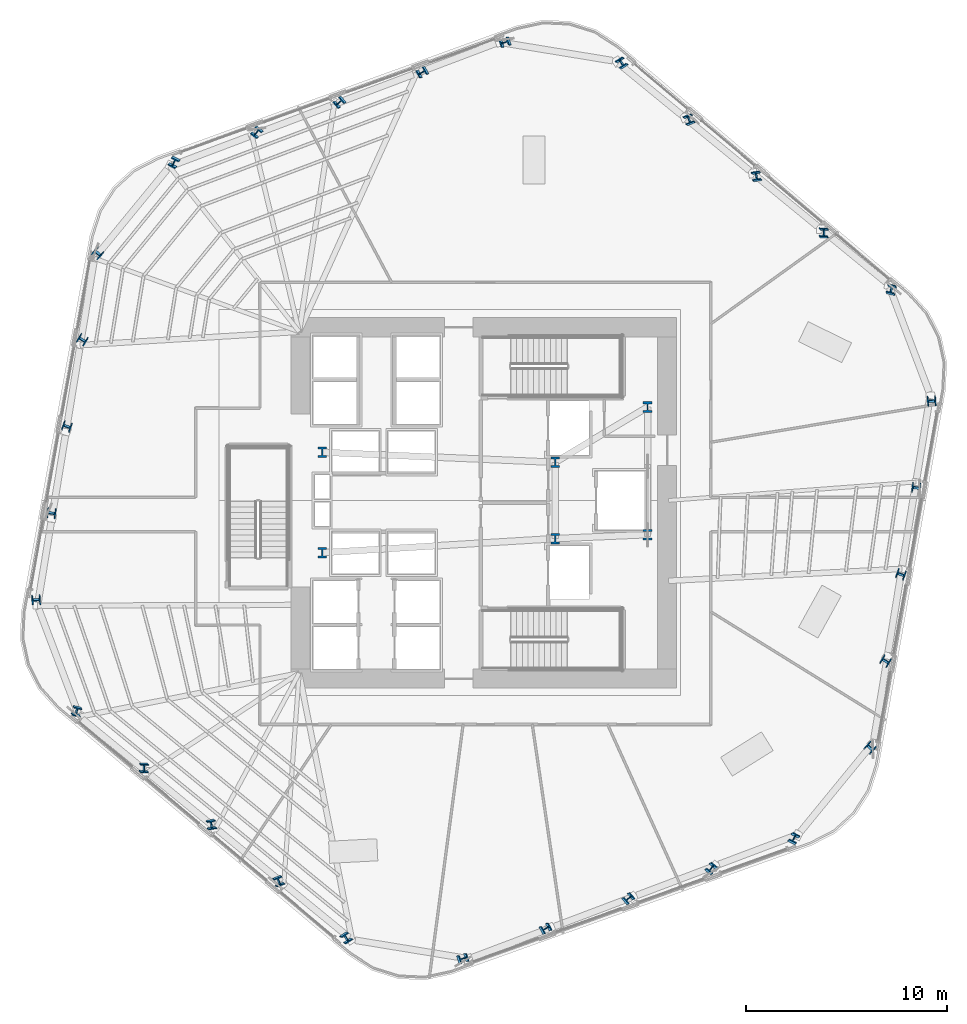
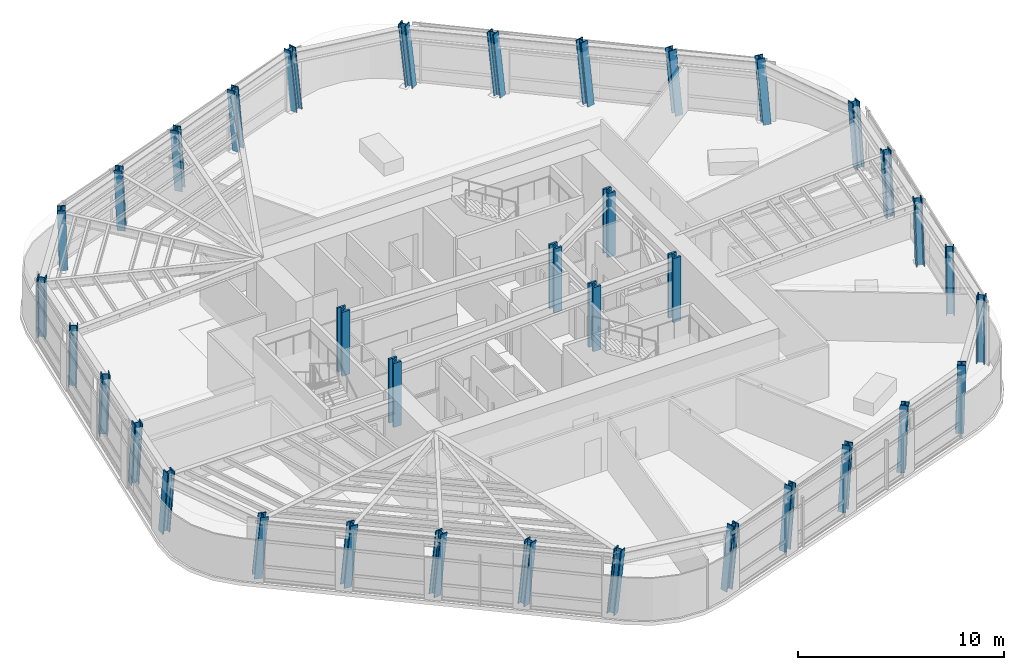
# One storey, part 1 of 18: 36 columns.
"""IFC4 building model written with IfcOpenShell, lengths in metres."""

from ifc_helpers import new_model, si_unit, direction, frame, origin, origin_2d, place, context, subcontext, project, spatial, i_section, extrude, material, material_profile, profile_set, type_object, element, save


model = new_model("IFC4")

# Units and contexts
model_context = context("Model", 3, precision=1e-05, world=origin(), true_north=direction((0.0, 1.0)))
body_context = subcontext(model_context, "Body", "Model", "MODEL_VIEW")
ifc_project = project(units=[si_unit("LENGTHUNIT", "METRE"), si_unit("AREAUNIT", "SQUARE_METRE"), si_unit("VOLUMEUNIT", "CUBIC_METRE"), si_unit("PLANEANGLEUNIT", "RADIAN"), si_unit("MASSUNIT", "GRAM", prefix="KILO")], contexts=[model_context])

# Site, building, storey
site_placement = place(None, origin())
site = spatial("IfcSite", under=ifc_project, at=site_placement, CompositionType="ELEMENT")
building_placement = place(site_placement, origin())
building = spatial("IfcBuilding", under=site, at=building_placement, Name="Valkerne Bourse Tower", CompositionType="ELEMENT")
storey_placement = place(building_placement, frame((0.0, 0.0, 108.60009765625)))
storey = spatial("IfcBuildingStorey", under=building, at=storey_placement, Name="L27", CompositionType="ELEMENT", Elevation=108.60009765625)

# Columns
ifc_material = material(Name="Steel ASTM A913 Grade 65", Category="steel")
ifc_material_profile_1 = material_profile(ifc_material, i_section(OverallWidth=0.408935546875, OverallDepth=0.42431640625, WebThickness=0.03271484375, FlangeThickness=0.052490234375, FilletRadius=0.025390625, at=origin_2d()), Name="W14X283")
ifc_profile_set_1 = profile_set([ifc_material_profile_1], Name="Steel ASTM A913 Grade 65")
column_type_1 = type_object("IfcColumnType", Name="COL-W14X283", PredefinedType="COLUMN", material=ifc_profile_set_1)
column_1_placement = place(storey_placement, frame((67.106689453125, 37.448486328125, 0.010009765625), z_axis=(-0.043904098995, 0.083694197499, 0.995523837684), x_axis=(0.974880133563, -0.214213431349, 0.061002713168)))
element("IfcColumn", 1, at=column_1_placement, inside=storey, type_object=column_type_1, Name="L27 Helical Perimeter Tube Column F1-C1", PredefinedType="COLUMN", context=body_context, shape_type="SweptSolid", body=[
    extrude(i_section(OverallWidth=0.408935546875, OverallDepth=0.42431640625, WebThickness=0.03271484375, FlangeThickness=0.052490234375, FilletRadius=0.025390625, at=origin_2d()), origin(), (0.0, 0.0, 1.0), 3.798095703125),
])
column_2_placement = place(storey_placement, frame((63.7587890625, 40.277587890625, 0.010009765625), z_axis=(-0.055438103083, 0.069779978938, 0.996020768491), x_axis=(0.997944434504, -0.028246812137, 0.057524110138)))
element("IfcColumn", 2, at=column_2_placement, inside=storey, type_object=column_type_1, Name="L27 Helical Perimeter Tube Column F1-C2", PredefinedType="COLUMN", context=body_context, shape_type="SweptSolid", body=[
    extrude(i_section(OverallWidth=0.408935546875, OverallDepth=0.42431640625, WebThickness=0.03271484375, FlangeThickness=0.052490234375, FilletRadius=0.025390625, at=origin_2d()), origin(), (0.0, 0.0, 1.0), 3.796142578125),
])
column_3_placement = place(storey_placement, frame((60.4111328125, 43.106689453125, 0.010009765625), z_axis=(-0.067089779942, 0.055833105455, 0.99618353016), x_axis=(0.982816332029, 0.175778621396, 0.056337676176)))
element("IfcColumn", 3, at=column_3_placement, inside=storey, type_object=column_type_1, Name="L27 Helical Perimeter Tube Column F1-C3", PredefinedType="COLUMN", context=body_context, shape_type="SweptSolid", body=[
    extrude(i_section(OverallWidth=0.408935546875, OverallDepth=0.42431640625, WebThickness=0.03271484375, FlangeThickness=0.052490234375, FilletRadius=0.025390625, at=origin_2d()), origin(), (0.0, 0.0, 1.0), 3.79541015625),
])
column_4_placement = place(storey_placement, frame((57.0634765625, 45.935791015625, 0.010009765625), z_axis=(-0.078655552342, 0.041803850386, 0.99602497066), x_axis=(0.92615376606, 0.372738065964, 0.057493789179)))
element("IfcColumn", 4, at=column_4_placement, inside=storey, type_object=column_type_1, Name="L27 Helical Perimeter Tube Column F1-C4", PredefinedType="COLUMN", context=body_context, shape_type="SweptSolid", body=[
    extrude(i_section(OverallWidth=0.408935546875, OverallDepth=0.42431640625, WebThickness=0.03271484375, FlangeThickness=0.052490234375, FilletRadius=0.025390625, at=origin_2d()), origin(), (0.0, 0.0, 1.0), 3.796142578125),
])
for number, where, z_axis, x_axis, name in (
    (5, (53.7158203125, 48.764892578125, 0.010009765625), (-0.090251442936, 0.027833956404, 0.995529983435), (0.839130678202, 0.540502980392, 0.060960914424), "L27 Helical Perimeter Tube Column F1-C5"),
    (6, (47.904541015625, 49.810302734375, 0.010009765625), (-0.094365484617, 0.003856899916, 0.995530150039), (-0.298518959145, 0.953867366136, -0.031991856008), "L27 Helical Perimeter Tube Column F2-C1"),
):
    element("IfcColumn", number, at=place(storey_placement, frame(where, z_axis=z_axis, x_axis=x_axis)), inside=storey, type_object=column_type_1, Name=name, PredefinedType="COLUMN", context=body_context, shape_type="SweptSolid", body=[
        extrude(i_section(OverallWidth=0.408935546875, OverallDepth=0.42431640625, WebThickness=0.03271484375, FlangeThickness=0.052490234375, FilletRadius=0.025390625, at=origin_2d()), origin(), (0.0, 0.0, 1.0), 3.798095703125),
    ])
column_5_placement = place(storey_placement, frame((43.78076171875, 48.32568359375, 0.010009765625), z_axis=(-0.088173340761, -0.013184197561, 0.99601789086), x_axis=(-0.472818646916, 0.880642098314, -0.030199698765)))
element("IfcColumn", 7, at=column_5_placement, inside=storey, type_object=column_type_1, Name="L27 Helical Perimeter Tube Column F2-C2", PredefinedType="COLUMN", context=body_context, shape_type="SweptSolid", body=[
    extrude(i_section(OverallWidth=0.408935546875, OverallDepth=0.42431640625, WebThickness=0.03271484375, FlangeThickness=0.052490234375, FilletRadius=0.025390625, at=origin_2d()), origin(), (0.0, 0.0, 1.0), 3.796142578125),
])
column_6_placement = place(storey_placement, frame((39.65673828125, 46.841064453125, 0.010009765625), z_axis=(-0.081884239984, -0.030232201722, 0.996183208663), x_axis=(-0.642436416116, 0.765768385186, -0.029567405997)))
element("IfcColumn", 8, at=column_6_placement, inside=storey, type_object=column_type_1, Name="L27 Helical Perimeter Tube Column F2-C3", PredefinedType="COLUMN", context=body_context, shape_type="SweptSolid", body=[
    extrude(i_section(OverallWidth=0.408935546875, OverallDepth=0.42431640625, WebThickness=0.03271484375, FlangeThickness=0.052490234375, FilletRadius=0.025390625, at=origin_2d()), origin(), (0.0, 0.0, 1.0), 3.79541015625),
])
column_7_placement = place(storey_placement, frame((35.532958984375, 45.356201171875, 0.010009765625), z_axis=(-0.075568318735, -0.047206081661, 0.996022597664), x_axis=(-0.784630373587, 0.619228738747, -0.030181881237)))
element("IfcColumn", 9, at=column_7_placement, inside=storey, type_object=column_type_1, Name="L27 Helical Perimeter Tube Column F2-C4", PredefinedType="COLUMN", context=body_context, shape_type="SweptSolid", body=[
    extrude(i_section(OverallWidth=0.408935546875, OverallDepth=0.42431640625, WebThickness=0.03271484375, FlangeThickness=0.052490234375, FilletRadius=0.025390625, at=origin_2d()), origin(), (0.0, 0.0, 1.0), 3.796142578125),
])
for number, where, z_axis, x_axis, name in (
    (10, (31.408935546875, 43.87158203125, 0.010009765625), (-0.069231452764, -0.064217475683, 0.995531577483), (-0.887093134911, 0.460480854389, -0.03198675875), "L27 Helical Perimeter Tube Column F2-C5"),
    (11, (27.597900390625, 39.36181640625, 0.010009765625), (-0.050525207684, -0.079837541913, 0.995526579399), (-0.673591962864, -0.733230505608, -0.092988672485), "L27 Helical Perimeter Tube Column F3-C1"),
):
    element("IfcColumn", number, at=place(storey_placement, frame(where, z_axis=z_axis, x_axis=x_axis)), inside=storey, type_object=column_type_1, Name=name, PredefinedType="COLUMN", context=body_context, shape_type="SweptSolid", body=[
        extrude(i_section(OverallWidth=0.408935546875, OverallDepth=0.42431640625, WebThickness=0.03271484375, FlangeThickness=0.052490234375, FilletRadius=0.025390625, at=origin_2d()), origin(), (0.0, 0.0, 1.0), 3.798095703125),
    ])
column_8_placement = place(storey_placement, frame((26.82177734375, 35.048095703125, 0.010009765625), z_axis=(-0.032671051039, -0.08296388945, 0.996016865054), x_axis=(-0.523952736744, -0.847214519415, -0.087755841694)))
element("IfcColumn", 12, at=column_8_placement, inside=storey, type_object=column_type_1, Name="L27 Helical Perimeter Tube Column F3-C2", PredefinedType="COLUMN", context=body_context, shape_type="SweptSolid", body=[
    extrude(i_section(OverallWidth=0.408935546875, OverallDepth=0.42431640625, WebThickness=0.03271484375, FlangeThickness=0.052490234375, FilletRadius=0.025390625, at=origin_2d()), origin(), (0.0, 0.0, 1.0), 3.796142578125),
])
column_9_placement = place(storey_placement, frame((26.045654296875, 30.734375, 0.010009765625), z_axis=(-0.014794511076, -0.086001136125, 0.996185187115), x_axis=(-0.340741932688, -0.936225754532, -0.085885224919)))
element("IfcColumn", 13, at=column_9_placement, inside=storey, type_object=column_type_1, Name="L27 Helical Perimeter Tube Column F3-C3", PredefinedType="COLUMN", context=body_context, shape_type="SweptSolid", body=[
    extrude(i_section(OverallWidth=0.408935546875, OverallDepth=0.42431640625, WebThickness=0.03271484375, FlangeThickness=0.052490234375, FilletRadius=0.025390625, at=origin_2d()), origin(), (0.0, 0.0, 1.0), 3.79541015625),
])
column_10_placement = place(storey_placement, frame((25.269287109375, 26.420654296875, 0.010009765625), z_axis=(0.003151351561, -0.089073916567, 0.996020033117), x_axis=(-0.142314367592, -0.985926795468, -0.087721005212)))
element("IfcColumn", 14, at=column_10_placement, inside=storey, type_object=column_type_1, Name="L27 Helical Perimeter Tube Column F3-C4", PredefinedType="COLUMN", context=body_context, shape_type="SweptSolid", body=[
    extrude(i_section(OverallWidth=0.408935546875, OverallDepth=0.42431640625, WebThickness=0.03271484375, FlangeThickness=0.052490234375, FilletRadius=0.025390625, at=origin_2d()), origin(), (0.0, 0.0, 1.0), 3.796142578125),
])
for number, where, z_axis, x_axis, name in (
    (15, (24.4931640625, 22.10693359375, 0.010009765625), (0.020955773477, -0.092115409181, 0.995527803203), (0.044671897284, -0.994665717028, -0.092975980565), "L27 Helical Perimeter Tube Column F3-C5"),
    (16, (26.493408203125, 16.551513671875, 0.010009765625), (0.043839941373, -0.08369443353, 0.995526645217), (0.974751734745, -0.214802359051, -0.060983622043), "L27 Helical Perimeter Tube Column F4-C1"),
):
    element("IfcColumn", number, at=place(storey_placement, frame(where, z_axis=z_axis, x_axis=x_axis)), inside=storey, type_object=column_type_1, Name=name, PredefinedType="COLUMN", context=body_context, shape_type="SweptSolid", body=[
        extrude(i_section(OverallWidth=0.408935546875, OverallDepth=0.42431640625, WebThickness=0.03271484375, FlangeThickness=0.052490234375, FilletRadius=0.025390625, at=origin_2d()), origin(), (0.0, 0.0, 1.0), 3.798095703125),
    ])
column_11_placement = place(storey_placement, frame((29.841064453125, 13.722412109375, 0.010009765625), z_axis=(0.055502218425, -0.069779730001, 0.996017215228), x_axis=(0.997958800663, -0.02768140223, -0.05754973632)))
element("IfcColumn", 17, at=column_11_placement, inside=storey, type_object=column_type_1, Name="L27 Helical Perimeter Tube Column F4-C2", PredefinedType="COLUMN", context=body_context, shape_type="SweptSolid", body=[
    extrude(i_section(OverallWidth=0.408935546875, OverallDepth=0.42431640625, WebThickness=0.03271484375, FlangeThickness=0.052490234375, FilletRadius=0.025390625, at=origin_2d()), origin(), (0.0, 0.0, 1.0), 3.796142578125),
])
column_12_placement = place(storey_placement, frame((33.188720703125, 10.893310546875, 0.010009765625), z_axis=(0.067089779942, -0.055833105455, 0.99618353016), x_axis=(0.982816332029, 0.175778621396, -0.056337676176)))
element("IfcColumn", 18, at=column_12_placement, inside=storey, type_object=column_type_1, Name="L27 Helical Perimeter Tube Column F4-C3", PredefinedType="COLUMN", context=body_context, shape_type="SweptSolid", body=[
    extrude(i_section(OverallWidth=0.408935546875, OverallDepth=0.42431640625, WebThickness=0.03271484375, FlangeThickness=0.052490234375, FilletRadius=0.025390625, at=origin_2d()), origin(), (0.0, 0.0, 1.0), 3.79541015625),
])
column_13_placement = place(storey_placement, frame((36.53662109375, 8.064208984375, 0.010009765625), z_axis=(0.078655552342, -0.041803850386, 0.99602497066), x_axis=(0.92615376606, 0.372738065964, -0.057493789179)))
element("IfcColumn", 19, at=column_13_placement, inside=storey, type_object=column_type_1, Name="L27 Helical Perimeter Tube Column F4-C4", PredefinedType="COLUMN", context=body_context, shape_type="SweptSolid", body=[
    extrude(i_section(OverallWidth=0.408935546875, OverallDepth=0.42431640625, WebThickness=0.03271484375, FlangeThickness=0.052490234375, FilletRadius=0.025390625, at=origin_2d()), origin(), (0.0, 0.0, 1.0), 3.796142578125),
])
column_14_placement = place(storey_placement, frame((39.88427734375, 5.235107421875, 0.010009765625), z_axis=(0.090187684321, -0.027834117827, 0.995535757008), x_axis=(0.839242708553, 0.540333445461, -0.060921620599)))
element("IfcColumn", 20, at=column_14_placement, inside=storey, type_object=column_type_1, Name="L27 Helical Perimeter Tube Column F4-C5", PredefinedType="COLUMN", context=body_context, shape_type="SweptSolid", body=[
    extrude(i_section(OverallWidth=0.408935546875, OverallDepth=0.42431640625, WebThickness=0.03271484375, FlangeThickness=0.052490234375, FilletRadius=0.025390625, at=origin_2d()), origin(), (0.0, 0.0, 1.0), 3.7978515625),
])
column_15_placement = place(storey_placement, frame((45.6953125, 4.189697265625, 0.010009765625), z_axis=(0.094429193284, -0.003856876513, 0.99552410918), x_axis=(-0.298543409654, 0.95385899042, 0.032013418235)))
element("IfcColumn", 21, at=column_15_placement, inside=storey, type_object=column_type_1, Name="L27 Helical Perimeter Tube Column F5-C1", PredefinedType="COLUMN", context=body_context, shape_type="SweptSolid", body=[
    extrude(i_section(OverallWidth=0.408935546875, OverallDepth=0.42431640625, WebThickness=0.03271484375, FlangeThickness=0.052490234375, FilletRadius=0.025390625, at=origin_2d()), origin(), (0.0, 0.0, 1.0), 3.798095703125),
])
column_16_placement = place(storey_placement, frame((49.8193359375, 5.67431640625, 0.010009765625), z_axis=(0.088109527065, 0.013184272298, 0.996023536973), x_axis=(-0.472914548161, 0.880591334777, 0.03017832423)))
element("IfcColumn", 22, at=column_16_placement, inside=storey, type_object=column_type_1, Name="L27 Helical Perimeter Tube Column F5-C2", PredefinedType="COLUMN", context=body_context, shape_type="SweptSolid", body=[
    extrude(i_section(OverallWidth=0.408935546875, OverallDepth=0.42431640625, WebThickness=0.03271484375, FlangeThickness=0.052490234375, FilletRadius=0.025390625, at=origin_2d()), origin(), (0.0, 0.0, 1.0), 3.796142578125),
])
column_17_placement = place(storey_placement, frame((53.943115234375, 7.158935546875, 0.010009765625), z_axis=(0.081884239984, 0.030232201722, 0.996183208663), x_axis=(-0.642436416116, 0.765768385186, 0.029567405997)))
element("IfcColumn", 23, at=column_17_placement, inside=storey, type_object=column_type_1, Name="L27 Helical Perimeter Tube Column F5-C3", PredefinedType="COLUMN", context=body_context, shape_type="SweptSolid", body=[
    extrude(i_section(OverallWidth=0.408935546875, OverallDepth=0.42431640625, WebThickness=0.03271484375, FlangeThickness=0.052490234375, FilletRadius=0.025390625, at=origin_2d()), origin(), (0.0, 0.0, 1.0), 3.79541015625),
])
column_18_placement = place(storey_placement, frame((58.067138671875, 8.643798828125, 0.010009765625), z_axis=(0.075568318735, 0.047206081661, 0.996022597664), x_axis=(-0.784630373587, 0.619228738747, 0.030181881237)))
element("IfcColumn", 24, at=column_18_placement, inside=storey, type_object=column_type_1, Name="L27 Helical Perimeter Tube Column F5-C4", PredefinedType="COLUMN", context=body_context, shape_type="SweptSolid", body=[
    extrude(i_section(OverallWidth=0.408935546875, OverallDepth=0.42431640625, WebThickness=0.03271484375, FlangeThickness=0.052490234375, FilletRadius=0.025390625, at=origin_2d()), origin(), (0.0, 0.0, 1.0), 3.796142578125),
])
for number, where, z_axis, x_axis, name in (
    (25, (62.19091796875, 10.12841796875, 0.010009765625), (0.069295425992, 0.064217189764, 0.995527145022), (-0.886878868355, 0.460892294887, 0.032002583941), "L27 Helical Perimeter Tube Column F5-C5"),
    (26, (66.002197265625, 14.63818359375, 0.010009765625), (0.050461090035, 0.079837801049, 0.995529810662), (-0.673171859926, -0.733620464319, 0.092955157663), "L27 Helical Perimeter Tube Column F6-C1"),
):
    element("IfcColumn", number, at=place(storey_placement, frame(where, z_axis=z_axis, x_axis=x_axis)), inside=storey, type_object=column_type_1, Name=name, PredefinedType="COLUMN", context=body_context, shape_type="SweptSolid", body=[
        extrude(i_section(OverallWidth=0.408935546875, OverallDepth=0.42431640625, WebThickness=0.03271484375, FlangeThickness=0.052490234375, FilletRadius=0.025390625, at=origin_2d()), origin(), (0.0, 0.0, 1.0), 3.798095703125),
    ])
column_19_placement = place(storey_placement, frame((66.7783203125, 18.951904296875, 0.010009765625), z_axis=(0.032606806392, 0.082964063601, 0.996018955807), x_axis=(-0.523384639774, -0.847567970931, 0.087732853029)))
element("IfcColumn", 27, at=column_19_placement, inside=storey, type_object=column_type_1, Name="L27 Helical Perimeter Tube Column F6-C2", PredefinedType="COLUMN", context=body_context, shape_type="SweptSolid", body=[
    extrude(i_section(OverallWidth=0.408935546875, OverallDepth=0.42431640625, WebThickness=0.03271484375, FlangeThickness=0.052490234375, FilletRadius=0.025390625, at=origin_2d()), origin(), (0.0, 0.0, 1.0), 3.796142578125),
])
column_20_placement = place(storey_placement, frame((67.554443359375, 23.265625, 0.010009765625), z_axis=(0.014794511076, 0.086001136125, 0.996185187115), x_axis=(-0.340741932688, -0.936225754532, 0.085885224919)))
element("IfcColumn", 28, at=column_20_placement, inside=storey, type_object=column_type_1, Name="L27 Helical Perimeter Tube Column F6-C3", PredefinedType="COLUMN", context=body_context, shape_type="SweptSolid", body=[
    extrude(i_section(OverallWidth=0.408935546875, OverallDepth=0.42431640625, WebThickness=0.03271484375, FlangeThickness=0.052490234375, FilletRadius=0.025390625, at=origin_2d()), origin(), (0.0, 0.0, 1.0), 3.79541015625),
])
column_21_placement = place(storey_placement, frame((68.33056640625, 27.579345703125, 0.010009765625), z_axis=(-0.003087038883, 0.089073934435, 0.996020232925), x_axis=(-0.143025312326, -0.985824107446, 0.087718807634)))
element("IfcColumn", 29, at=column_21_placement, inside=storey, type_object=column_type_1, Name="L27 Helical Perimeter Tube Column F6-C4", PredefinedType="COLUMN", context=body_context, shape_type="SweptSolid", body=[
    extrude(i_section(OverallWidth=0.408935546875, OverallDepth=0.42431640625, WebThickness=0.03271484375, FlangeThickness=0.052490234375, FilletRadius=0.025390625, at=origin_2d()), origin(), (0.0, 0.0, 1.0), 3.796142578125),
])
column_22_placement = place(storey_placement, frame((69.106689453125, 31.89306640625, 0.010009765625), z_axis=(-0.020955773477, 0.092115409181, 0.995527803203), x_axis=(0.044671897284, -0.994665717028, 0.092975980565)))
element("IfcColumn", 30, at=column_22_placement, inside=storey, type_object=column_type_1, Name="L27 Helical Perimeter Tube Column F6-C5", PredefinedType="COLUMN", context=body_context, shape_type="SweptSolid", body=[
    extrude(i_section(OverallWidth=0.408935546875, OverallDepth=0.42431640625, WebThickness=0.03271484375, FlangeThickness=0.052490234375, FilletRadius=0.025390625, at=origin_2d()), origin(), (0.0, 0.0, 1.0), 3.798095703125),
])
ifc_material_profile_2 = material_profile(ifc_material, i_section(OverallWidth=0.44189453125, OverallDepth=0.531005859375, WebThickness=0.06591796875, FlangeThickness=0.105712890625, FilletRadius=0.030517578125, at=origin_2d()), Name="W14X605")
ifc_profile_set_2 = profile_set([ifc_material_profile_2], Name="Steel ASTM A913 Grade 65")
column_type_2 = type_object("IfcColumnType", Name="COL-W14X605", PredefinedType="COLUMN", material=ifc_profile_set_2)
for number, where, z_axis, x_axis, name in (
    (31, (38.75, 24.39990234375, 0.0048828125), (0.0, 0.0, 1.0), (1.0, 0.0, 0.0), "L27 Core Frame Column CC-SW"),
    (32, (38.75, 29.39990234375, 0.0048828125), (0.0, 0.0, 1.0), (1.0, 0.0, 0.0), "L27 Core Frame Column CC-NW"),
    (33, (50.35009765625, 25.10009765625, 0.0048828125), (0.0, 0.0, 1.0), (1.0, 0.0, 0.0), "L27 Core Frame Column CC-CE1"),
    (34, (50.35009765625, 28.89990234375, 0.0048828125), (0.0, 0.0, 1.0), (1.0, 0.0, 0.0), "L27 Core Frame Column CC-CE2"),
    (35, (54.949951171875, 25.300048828125, 0.0048828125), (0.0, 0.0, 1.0), (1.0, 0.0, 0.0), "L27 Core Frame Column CC-SE"),
    (36, (54.949951171875, 31.64990234375, 0.0048828125), (0.0, 0.0, 1.0), (1.0, 0.0, 0.0), "L27 Core Frame Column CC-NE"),
):
    element("IfcColumn", number, at=place(storey_placement, frame(where, z_axis=z_axis, x_axis=x_axis)), inside=storey, type_object=column_type_2, Name=name, PredefinedType="COLUMN", context=body_context, shape_type="SweptSolid", body=[
        extrude(i_section(OverallWidth=0.44189453125, OverallDepth=0.531005859375, WebThickness=0.06591796875, FlangeThickness=0.105712890625, FilletRadius=0.030517578125, at=origin_2d()), origin(), (0.0, 0.0, 1.0), 3.794921875),
    ])

save(model, "model.ifc")
